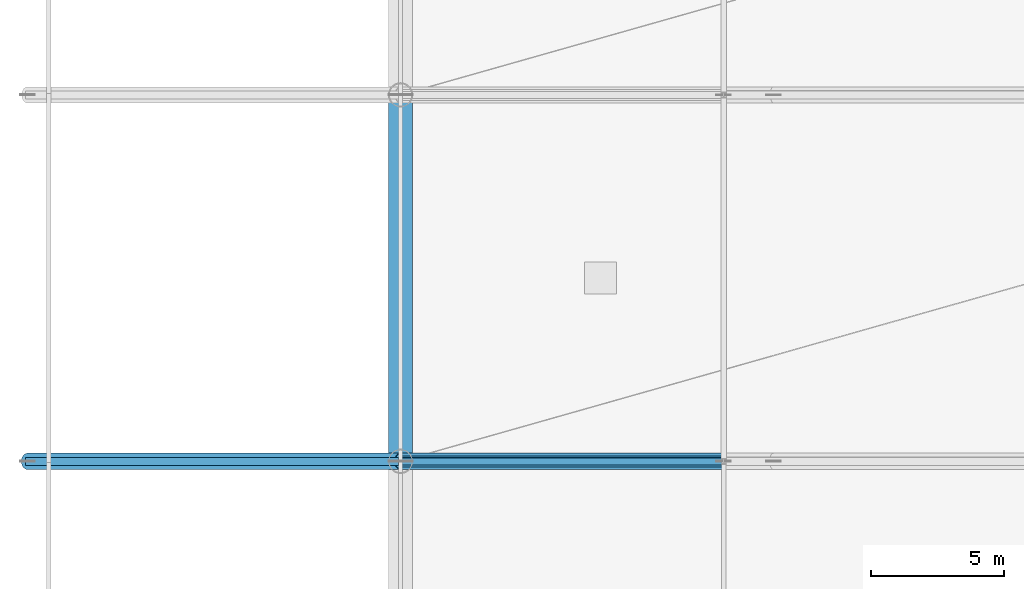
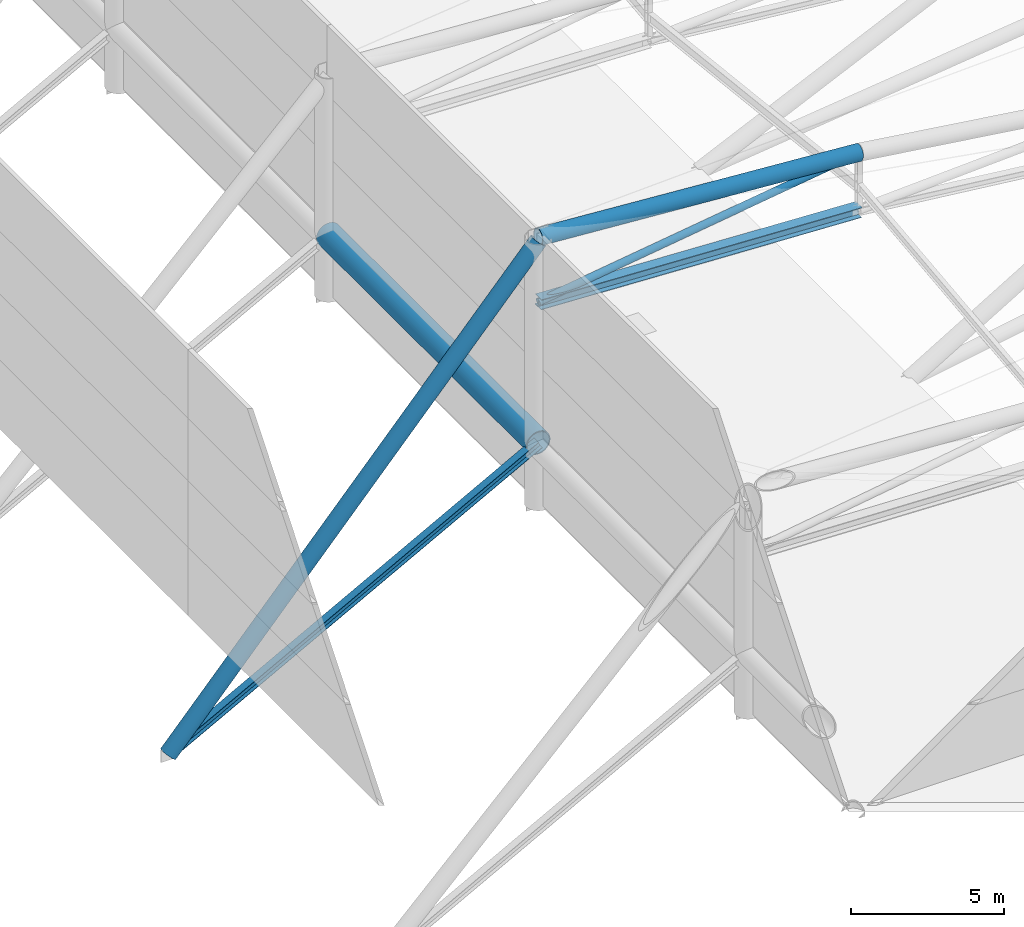
# One storey, part 5 of 36: 5 members, 1 beam.
"""IFC4 building model written with IfcOpenShell, lengths in metres."""

from ifc_helpers import new_model, si_unit, direction, frame, origin, origin_2d, place, context, subcontext, project, spatial, hollow_circle, i_section, extrude, material, material_profile, profile_set, type_object, element, save


model = new_model("IFC4")

# Units and contexts
model_context = context("Model", 3, precision=1e-05, world=origin(), true_north=direction((0.0, 1.0)))
body_context = subcontext(model_context, "Body", "Model", "MODEL_VIEW")
ifc_project = project(units=[si_unit("LENGTHUNIT", "METRE"), si_unit("AREAUNIT", "SQUARE_METRE"), si_unit("VOLUMEUNIT", "CUBIC_METRE"), si_unit("PLANEANGLEUNIT", "RADIAN"), si_unit("MASSUNIT", "GRAM", prefix="KILO")], contexts=[model_context])

# Site, building, storey
site_placement = place(None, origin())
site = spatial("IfcSite", under=ifc_project, at=site_placement, CompositionType="ELEMENT")
building_placement = place(site_placement, origin())
building = spatial("IfcBuilding", under=site, at=building_placement, Name="Linyun Crest Stadium", CompositionType="ELEMENT")
storey_placement = place(building_placement, frame((0.0, 0.0, 31.60009765625)))
storey = spatial("IfcBuildingStorey", under=building, at=storey_placement, Name="RF", CompositionType="ELEMENT", Elevation=31.60009765625)

# Beam
ifc_material_1 = material(Name="Steel Q420C", Category="steel")
ifc_material_profile_1 = material_profile(ifc_material_1, hollow_circle(Radius=0.45703125, WallThickness=0.0380859375, at=origin_2d()), Name="CHS 914x38")
ifc_profile_set_1 = profile_set([ifc_material_profile_1], Name="Steel Q420C")
beam_type = type_object("IfcBeamType", Name="HB02", PredefinedType="USERDEFINED", material=ifc_profile_set_1)
beam_placement = place(storey_placement, frame((-84.0, -25.375, 2.164794921875), z_axis=(0.0, 1.0, 0.0), x_axis=(-1.0, 0.0, 0.0)))
element("IfcBeam", 1, at=beam_placement, inside=storey, type_object=beam_type, Name="Roof Outer compression ring beam HB02 V1 6", ObjectType="RING BEAM", PredefinedType="USERDEFINED", context=body_context, shape_type="SweptSolid", body=[
    extrude(hollow_circle(Radius=0.45703125, WallThickness=0.0380859375, at=origin_2d()), origin(), (0.0, 0.0, 1.0), 13.75),
])

# Members
ifc_material_2 = material(Name="Steel Q420C", Category="steel")
ifc_material_profile_2 = material_profile(ifc_material_2, hollow_circle(Radius=0.304931640625, WallThickness=0.030029296875, at=origin_2d()), Name="CHS 610x30")
ifc_profile_set_2 = profile_set([ifc_material_profile_2], Name="Steel Q420C")
member_type_1 = type_object("IfcMemberType", Name="TC02", PredefinedType="CHORD", material=ifc_profile_set_2)
member_1_placement = place(storey_placement, frame((-84.0, -25.375, 10.25), z_axis=(-0.66719573983, 0.0, -0.744882436867), x_axis=(0.0, -1.0, 0.0)))
element("IfcMember", 2, at=member_1_placement, inside=storey, type_object=member_type_1, Name="Roof truss back-stay chord TC02 V1 39", PredefinedType="CHORD", context=body_context, shape_type="SweptSolid", body=[
    extrude(hollow_circle(Radius=0.304931640625, WallThickness=0.030029296875, at=origin_2d()), origin(), (0.0, 0.0, 1.0), 20.9833984375),
])
member_2_placement = place(storey_placement, frame((-84.0, -25.375, 10.39990234375), z_axis=(0.997482094845, 0.0, -0.070918759602), x_axis=(0.0, 1.0, 0.0)))
element("IfcMember", 3, at=member_2_placement, inside=storey, type_object=member_type_1, Name="Roof truss top chord TC02 V1 41", PredefinedType="CHORD", context=body_context, shape_type="SweptSolid", body=[
    extrude(hollow_circle(Radius=0.304931640625, WallThickness=0.030029296875, at=origin_2d()), origin(), (0.0, 0.0, 1.0), 12.155517578125),
])
ifc_material_3 = material(Name="Steel Q355C", Category="steel")
ifc_material_profile_3 = material_profile(ifc_material_3, i_section(OverallWidth=0.300048828125, OverallDepth=0.300048828125, WebThickness=0.010009765625, FlangeThickness=0.014892578125, at=origin_2d()), Name="HW 300x300")
ifc_profile_set_3 = profile_set([ifc_material_profile_3], Name="Steel Q355C")
member_type_2 = type_object("IfcMemberType", Name="TC03", PredefinedType="CHORD", material=ifc_profile_set_3)
member_3_placement = place(storey_placement, frame((-84.0, -25.375, 2.164794921875), z_axis=(-0.880301475787, 0.0, -0.474414704376), x_axis=(0.0, -1.0, 0.0)))
element("IfcMember", 4, at=member_3_placement, inside=storey, type_object=member_type_2, Name="Roof truss lower back-span chord TC03 V1 40", PredefinedType="CHORD", context=body_context, shape_type="SweptSolid", body=[
    extrude(i_section(OverallWidth=0.300048828125, OverallDepth=0.300048828125, WebThickness=0.010009765625, FlangeThickness=0.014892578125, at=origin_2d()), origin(), (0.0, 0.0, 1.0), 15.903564453125),
])
ifc_material_4 = material(Name="Steel Q420C", Category="steel")
ifc_material_profile_4 = material_profile(ifc_material_4, i_section(OverallWidth=0.407958984375, OverallDepth=0.39990234375, WebThickness=0.02099609375, FlangeThickness=0.02099609375, at=origin_2d()), Name="HW 400x408")
ifc_profile_set_4 = profile_set([ifc_material_profile_4], Name="Steel Q420C")
member_type_3 = type_object("IfcMemberType", Name="TC04", PredefinedType="CHORD", material=ifc_profile_set_4)
member_4_placement = place(storey_placement, frame((-84.0, -25.375, 7.7998046875), z_axis=(0.998973511028, 0.0, -0.045298170643), x_axis=(0.0, 1.0, 0.0)))
element("IfcMember", 5, at=member_4_placement, inside=storey, type_object=member_type_3, Name="Roof truss bottom chord TC04 V1 42", PredefinedType="CHORD", context=body_context, shape_type="SweptSolid", body=[
    extrude(i_section(OverallWidth=0.407958984375, OverallDepth=0.39990234375, WebThickness=0.02099609375, FlangeThickness=0.02099609375, at=origin_2d()), origin(), (0.0, 0.0, 1.0), 12.137451171875),
])
ifc_material_5 = material(Name="Steel Q355C", Category="steel")
ifc_material_profile_5 = material_profile(ifc_material_5, hollow_circle(Radius=0.136474609375, WallThickness=0.013916015625, at=origin_2d()), Name="CHS 273x14")
ifc_profile_set_5 = profile_set([ifc_material_profile_5], Name="Steel Q355C")
member_type_4 = type_object("IfcMemberType", Name="TD01", PredefinedType="BRACE", material=ifc_profile_set_5)
member_5_placement = place(storey_placement, frame((-84.0, -25.375, 7.7998046875), z_axis=(0.989882012596, 0.0, 0.141892921385), x_axis=(0.0, 1.0, 0.0)))
element("IfcMember", 6, at=member_5_placement, inside=storey, type_object=member_type_4, Name="Roof truss diagonal TD01 V1 43", PredefinedType="BRACE", context=body_context, shape_type="SweptSolid", body=[
    extrude(hollow_circle(Radius=0.136474609375, WallThickness=0.013916015625, at=origin_2d()), origin(), (0.0, 0.0, 1.0), 12.2490234375),
])

save(model, "model.ifc")
